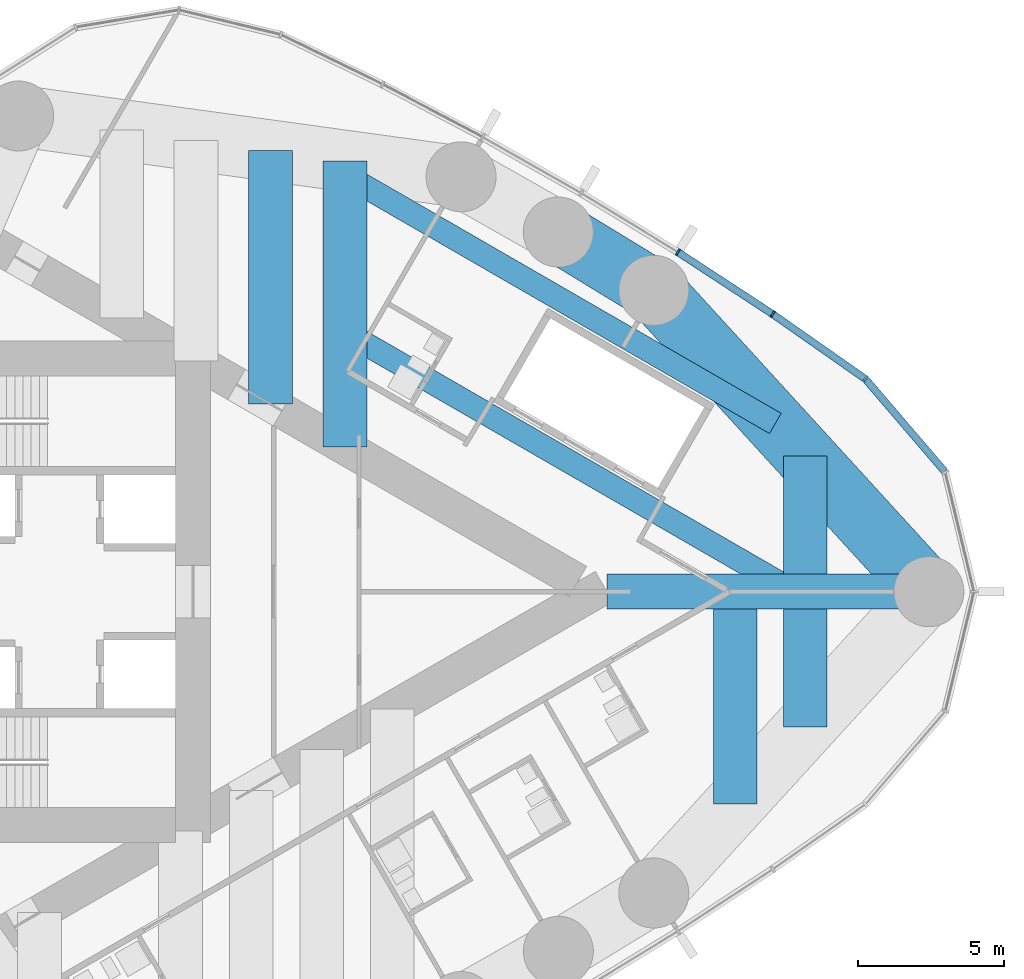
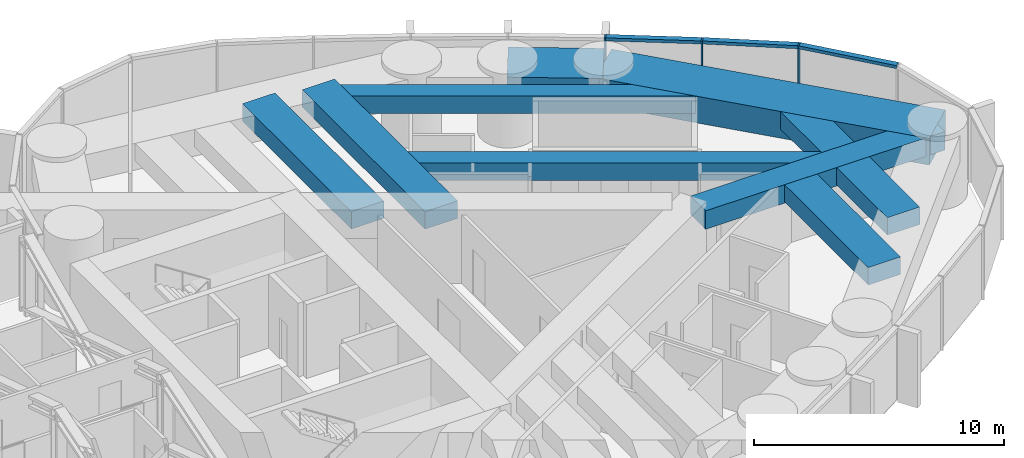
# One storey, part 10 of 24: 10 beams, 6 members, 1 element without a shape of its own.
"""IFC4 building model written with IfcOpenShell, lengths in metres."""

from ifc_helpers import new_model, si_unit, direction, frame, origin, origin_2d, place, context, subcontext, project, spatial, rectangle, hollow_rectangle, extrude, material, material_profile, profile_set, type_object, element, aggregate, save


model = new_model("IFC4")

# Units and contexts
model_context = context("Model", 3, precision=1e-05, world=origin(), true_north=direction((0.0, 1.0)))
body_context = subcontext(model_context, "Body", "Model", "MODEL_VIEW")
ifc_project = project(units=[si_unit("LENGTHUNIT", "METRE"), si_unit("AREAUNIT", "SQUARE_METRE"), si_unit("VOLUMEUNIT", "CUBIC_METRE"), si_unit("PLANEANGLEUNIT", "RADIAN"), si_unit("MASSUNIT", "GRAM", prefix="KILO")], contexts=[model_context])

# Site, building, storey
site_placement = place(None, origin())
site = spatial("IfcSite", under=ifc_project, at=site_placement, CompositionType="ELEMENT")
building_placement = place(site_placement, origin())
building = spatial("IfcBuilding", under=site, at=building_placement, Name="Lancet Gate Hotel", CompositionType="ELEMENT")
storey_placement = place(building_placement, frame((0.0, 0.0, 236.89990234375)))
storey = spatial("IfcBuildingStorey", under=building, at=storey_placement, Name="L63", CompositionType="ELEMENT", Elevation=236.89990234375)

# Curtain wall, members
ifc_material_1 = material(Name="Aluminium curtain wall", Category="aluminium")
curtain_wall_type = type_object("IfcCurtainWallType", Name="Tower unitised curtain wall", PredefinedType="USERDEFINED", material=ifc_material_1)
curtain_wall_placement = place(storey_placement, origin())
curtain_wall = element("IfcCurtainWall", 1, at=curtain_wall_placement, inside=storey, type_object=curtain_wall_type, Name="T2 L63 curtain wall 1", ObjectType="UNITISED CURTAIN WALL", PredefinedType="USERDEFINED")
ifc_material_2 = material(Name="Aluminium mullion", Category="aluminium")
ifc_material_profile_1 = material_profile(ifc_material_2, rectangle(XDim=0.06494140625, YDim=0.25, at=origin_2d()), Name="MULLION 65x250")
ifc_profile_set_1 = profile_set([ifc_material_profile_1], Name="Aluminium mullion")
member_type_1 = type_object("IfcMemberType", Name="Aluminium mullion 65x250", PredefinedType="MULLION", material=ifc_profile_set_1)
member_1_placement = place(storey_placement, frame((60.367431640625, 7.291259765625, 0.0), z_axis=(0.0, 0.0, 1.0), x_axis=(-0.737323173512, 0.675540182226, 0.0)))
member_1 = element("IfcMember", 2, at=member_1_placement, type_object=member_type_1, Name="T2 L63 curtain wall 1 mullion 16", PredefinedType="MULLION", context=body_context, shape_type="SweptSolid", body=[
    extrude(rectangle(XDim=0.06494140625, YDim=0.25, at=origin_2d()), origin(), (0.0, 0.0, 1.0), 3.60009765625),
])
member_2_placement = place(storey_placement, frame((57.185791015625, 9.518310546875, 0.0), z_axis=(0.0, 0.0, 1.0), x_axis=(-0.828154697184, 0.560499596371, 0.0)))
member_2 = element("IfcMember", 3, at=member_2_placement, type_object=member_type_1, Name="T2 L63 curtain wall 1 mullion 17", PredefinedType="MULLION", context=body_context, shape_type="SweptSolid", body=[
    extrude(rectangle(XDim=0.06494140625, YDim=0.25, at=origin_2d()), origin(), (0.0, 0.0, 1.0), 3.60009765625),
])
member_3_placement = place(storey_placement, frame((53.935791015625, 11.644287109375, 0.0), z_axis=(0.0, 0.0, 1.0), x_axis=(-0.845339753513, 0.534229071777, 0.0)))
member_3 = element("IfcMember", 4, at=member_3_placement, type_object=member_type_1, Name="T2 L63 curtain wall 1 mullion 18", PredefinedType="MULLION", context=body_context, shape_type="SweptSolid", body=[
    extrude(rectangle(XDim=0.06494140625, YDim=0.25, at=origin_2d()), origin(), (0.0, 0.0, 1.0), 3.60009765625),
])
ifc_material_3 = material(Name="Aluminium transom", Category="aluminium")
ifc_material_profile_2 = material_profile(ifc_material_3, rectangle(XDim=0.25, YDim=0.14990234375, at=origin_2d()), Name="TRANSOM 250x150")
ifc_profile_set_2 = profile_set([ifc_material_profile_2], Name="Aluminium transom")
member_type_2 = type_object("IfcMemberType", Name="Aluminium transom 250x150", PredefinedType="USERDEFINED", material=ifc_profile_set_2)
member_4_placement = place(storey_placement, frame((63.08544921875, 4.118408203125, 3.525146484375), z_axis=(-0.650592500186, 0.759427019997, 0.0), x_axis=(-0.759427019997, -0.650592500186, 0.0)))
member_4 = element("IfcMember", 5, at=member_4_placement, type_object=member_type_2, Name="T2 L63 curtain wall 1 transom 15", ObjectType="TRANSOM", PredefinedType="USERDEFINED", context=body_context, shape_type="SweptSolid", body=[
    extrude(rectangle(XDim=0.25, YDim=0.14990234375, at=origin_2d()), origin(), (0.0, 0.0, 1.0), 4.1455078125),
])
member_5_placement = place(storey_placement, frame((60.3408203125, 7.31005859375, 3.525146484375), z_axis=(-0.819255948852, 0.573428016642, 0.0), x_axis=(-0.573428016642, -0.819255948852, 0.0)))
member_5 = element("IfcMember", 6, at=member_5_placement, type_object=member_type_2, Name="T2 L63 curtain wall 1 transom 16", ObjectType="TRANSOM", PredefinedType="USERDEFINED", context=body_context, shape_type="SweptSolid", body=[
    extrude(rectangle(XDim=0.25, YDim=0.14990234375, at=origin_2d()), origin(), (0.0, 0.0, 1.0), 3.818603515625),
])
member_6_placement = place(storey_placement, frame((57.158447265625, 9.5361328125, 3.525146484375), z_axis=(-0.836858089593, 0.547419891749, 0.0), x_axis=(-0.547419891749, -0.836858089593, 0.0)))
member_6 = element("IfcMember", 7, at=member_6_placement, type_object=member_type_2, Name="T2 L63 curtain wall 1 transom 17", ObjectType="TRANSOM", PredefinedType="USERDEFINED", context=body_context, shape_type="SweptSolid", body=[
    extrude(rectangle(XDim=0.25, YDim=0.14990234375, at=origin_2d()), origin(), (0.0, 0.0, 1.0), 3.818603515625),
])
aggregate(curtain_wall, [member_1, member_2, member_3, member_4, member_5, member_6])

# Beams
ifc_material_4 = material(Name="Concrete C50/60", Category="concrete")
ifc_material_profile_3 = material_profile(ifc_material_4, rectangle(XDim=2.10009765625, YDim=1.300048828125, at=origin_2d()), Name="RC 2100x1300")
ifc_profile_set_3 = profile_set([ifc_material_profile_3], Name="Concrete C50/60")
beam_type_1 = type_object("IfcBeamType", Name="Edge beam RC 2100x1300", PredefinedType="SPANDREL", material=ifc_profile_set_3)
beam_1_placement = place(storey_placement, frame((62.54150390625, 0.0, 2.7001953125), z_axis=(-0.674209372947, 0.738540263919, 0.0), x_axis=(-0.738540263919, -0.674209372947, 0.0)))
element("IfcBeam", 8, at=beam_1_placement, inside=storey, type_object=beam_type_1, Name="T2 edge beam EB1 L63", PredefinedType="SPANDREL", context=body_context, shape_type="SweptSolid", body=[
    extrude(rectangle(XDim=2.10009765625, YDim=1.300048828125, at=origin_2d()), origin(), (0.0, 0.0, 1.0), 13.992431640625),
])
beam_2_placement = place(storey_placement, frame((53.107666015625, 10.333984375, 2.7001953125), z_axis=(-0.853604257265, 0.520922040212, 0.0), x_axis=(-0.520922040212, -0.853604257265, 0.0)))
element("IfcBeam", 9, at=beam_2_placement, inside=storey, type_object=beam_type_1, Name="T2 edge beam EB1 L63", PredefinedType="SPANDREL", context=body_context, shape_type="SweptSolid", body=[
    extrude(rectangle(XDim=2.10009765625, YDim=1.300048828125, at=origin_2d()), origin(), (0.0, 0.0, 1.0), 3.835205078125),
])
ifc_material_5 = material(Name="Concrete C50/60", Category="concrete")
ifc_material_profile_4 = material_profile(ifc_material_5, rectangle(XDim=1.5, YDim=0.85009765625, at=origin_2d()), Name="RC 1500x850")
ifc_profile_set_4 = profile_set([ifc_material_profile_4], Name="Concrete C50/60")
beam_type_2 = type_object("IfcBeamType", Name="Floor beam RC 1500x850", PredefinedType="BEAM", material=ifc_profile_set_4)
beam_3_placement = place(storey_placement, frame((39.9658203125, 6.429443359375, 2.925048828125), z_axis=(0.0, 1.0, 0.0), x_axis=(-1.0, 0.0, 0.0)))
element("IfcBeam", 10, at=beam_3_placement, inside=storey, type_object=beam_type_2, Name="T2 floor beam F06N L63", PredefinedType="BEAM", context=body_context, shape_type="SweptSolid", body=[
    extrude(rectangle(XDim=1.5, YDim=0.85009765625, at=origin_2d()), origin(), (0.0, 0.0, 1.0), 8.694091796875),
])
beam_4_placement = place(storey_placement, frame((42.51904296875, 4.95556640625, 2.925048828125), z_axis=(0.0, 1.0, 0.0), x_axis=(-1.0, 0.0, 0.0)))
element("IfcBeam", 11, at=beam_4_placement, inside=storey, type_object=beam_type_2, Name="T2 floor beam F08N L63", PredefinedType="BEAM", context=body_context, shape_type="SweptSolid", body=[
    extrude(rectangle(XDim=1.5, YDim=0.85009765625, at=origin_2d()), origin(), (0.0, 0.0, 1.0), 9.817138671875),
])
beam_5_placement = place(storey_placement, frame((55.90234375, -7.272705078125, 2.925048828125), z_axis=(0.0, 1.0, 0.0), x_axis=(-1.0, 0.0, 0.0)))
element("IfcBeam", 12, at=beam_5_placement, inside=storey, type_object=beam_type_2, Name="T2 floor beam F10S L63", PredefinedType="BEAM", context=body_context, shape_type="SweptSolid", body=[
    extrude(rectangle(XDim=1.5, YDim=0.85009765625, at=origin_2d()), origin(), (0.0, 0.0, 1.0), 6.672607421875),
])
for number, where, z_axis, x_axis, name in (
    (13, (58.30224609375, -4.643798828125, 2.925048828125), (0.0, 1.0, 0.0), (-1.0, 0.0, 0.0), "T2 floor beam F12S L63"),
    (14, (58.30224609375, 0.60009765625, 2.925048828125), (0.0, 1.0, 0.0), (-1.0, 0.0, 0.0), "T2 floor beam F13N L63"),
):
    element("IfcBeam", number, at=place(storey_placement, frame(where, z_axis=z_axis, x_axis=x_axis)), inside=storey, type_object=beam_type_2, Name=name, PredefinedType="BEAM", context=body_context, shape_type="SweptSolid", body=[
        extrude(rectangle(XDim=1.5, YDim=0.85009765625, at=origin_2d()), origin(), (0.0, 0.0, 1.0), 4.043701171875),
    ])
ifc_material_6 = material(Name="Concrete C50/60", Category="concrete")
ifc_material_profile_5 = material_profile(ifc_material_6, rectangle(XDim=1.199951171875, YDim=0.89990234375, at=origin_2d()), Name="RC 1200x900")
ifc_profile_set_5 = profile_set([ifc_material_profile_5], Name="Concrete C50/60")
beam_type_3 = type_object("IfcBeamType", Name="Radial floor beam RC 1200x900", PredefinedType="BEAM", material=ifc_profile_set_5)
beam_6_placement = place(storey_placement, frame((62.54150390625, 0.0, 2.900146484375), z_axis=(-1.0, 0.0, 0.0), x_axis=(0.0, -1.0, 0.0)))
element("IfcBeam", 15, at=beam_6_placement, inside=storey, type_object=beam_type_3, Name="T2 radial beam CA L63", PredefinedType="BEAM", context=body_context, shape_type="SweptSolid", body=[
    extrude(rectangle(XDim=1.199951171875, YDim=0.89990234375, at=origin_2d()), origin(), (0.0, 0.0, 1.0), 11.039306640625),
])
ifc_material_7 = material(Name="Steel S460QL", Category="steel")
ifc_material_profile_6 = material_profile(ifc_material_7, hollow_rectangle(XDim=0.800048828125, YDim=0.85009765625, WallThickness=0.080078125, at=origin_2d()), Name="BOX 850x800x80")
ifc_profile_set_6 = profile_set([ifc_material_profile_6], Name="Steel S460QL")
beam_type_4 = type_object("IfcBeamType", Name="Trimmer beam BOX 850x800x80", PredefinedType="BEAM", material=ifc_profile_set_6)
beam_7_placement = place(storey_placement, frame((42.51904296875, 14.289794921875, 2.925048828125), z_axis=(0.865991109766, -0.500059394279, 0.0), x_axis=(0.500059394279, 0.865991109766, 0.0)))
element("IfcBeam", 16, at=beam_7_placement, inside=storey, type_object=beam_type_4, Name="T2 trimmer beam TR01N L63", PredefinedType="BEAM", context=body_context, shape_type="SweptSolid", body=[
    extrude(hollow_rectangle(XDim=0.800048828125, YDim=0.85009765625, WallThickness=0.080078125, at=origin_2d()), origin(), (0.0, 0.0, 1.0), 17.0390625),
])
beam_8_placement = place(storey_placement, frame((42.51904296875, 8.90185546875, 2.925048828125), z_axis=(0.865994419471, -0.500053662566, 0.0), x_axis=(0.500053662566, 0.865994419471, 0.0)))
element("IfcBeam", 17, at=beam_8_placement, inside=storey, type_object=beam_type_4, Name="T2 trimmer beam TR02N L63", PredefinedType="BEAM", context=body_context, shape_type="SweptSolid", body=[
    extrude(hollow_rectangle(XDim=0.800048828125, YDim=0.85009765625, WallThickness=0.080078125, at=origin_2d()), origin(), (0.0, 0.0, 1.0), 17.8017578125),
])

save(model, "model.ifc")
